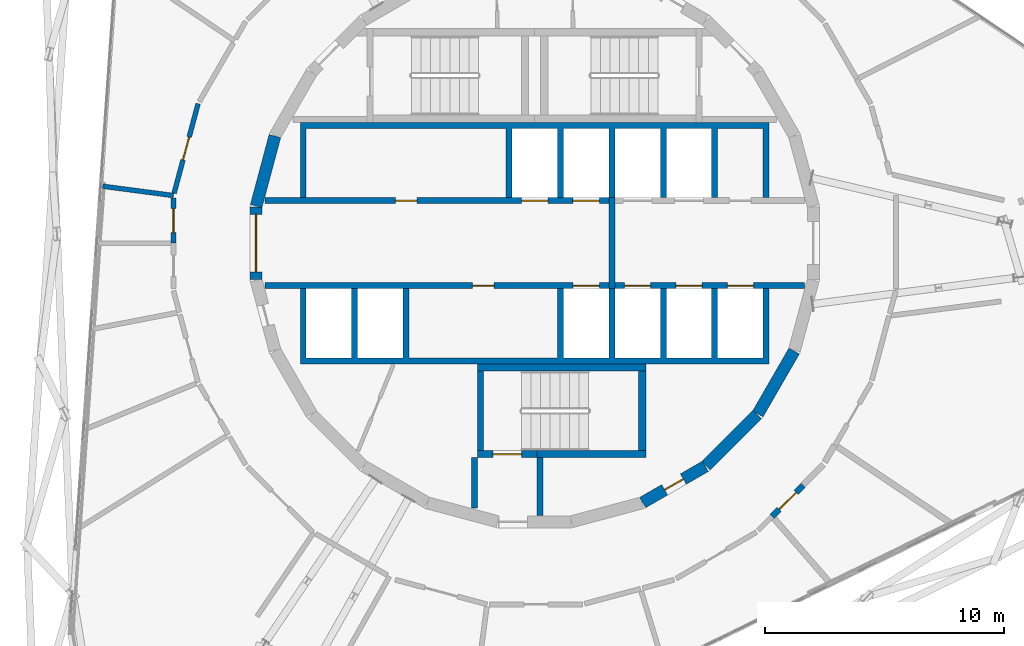
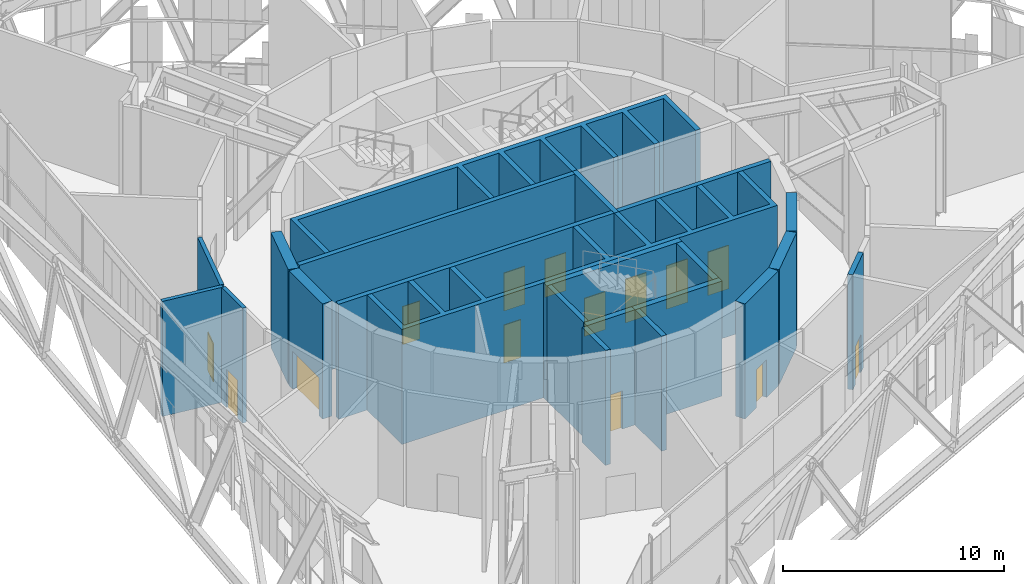
# One storey, part 19 of 24: 22 walls, 14 doors, 14 openings.
"""IFC4 building model written with IfcOpenShell, lengths in metres."""

from ifc_helpers import new_model, si_unit, direction, frame, frame_2d, origin, place, context, subcontext, project, spatial, polyline, rectangle, outline, extrude, material, layer, layer_set, type_object, element, fill, save


model = new_model("IFC4")

# Units and contexts
model_context = context("Model", 3, precision=1e-05, world=origin(), true_north=direction((0.0, 1.0)))
body_context = subcontext(model_context, "Body", "Model", "MODEL_VIEW")
ifc_project = project(units=[si_unit("LENGTHUNIT", "METRE"), si_unit("AREAUNIT", "SQUARE_METRE"), si_unit("VOLUMEUNIT", "CUBIC_METRE"), si_unit("PLANEANGLEUNIT", "RADIAN"), si_unit("MASSUNIT", "GRAM", prefix="KILO")], contexts=[model_context])

# Site, building, storey
site_placement = place(None, origin())
site = spatial("IfcSite", under=ifc_project, at=site_placement, CompositionType="ELEMENT")
building_placement = place(site_placement, origin())
building = spatial("IfcBuilding", under=site, at=building_placement, Name="Spindle Arch Residences", CompositionType="ELEMENT")
storey_placement = place(building_placement, frame((0.0, 0.0, 219.89990234375)))
storey = spatial("IfcBuildingStorey", under=building, at=storey_placement, Name="L56", CompositionType="ELEMENT", Elevation=219.89990234375)

# Wall, opening, door
ifc_material_1 = material(Name="Concrete C50/60", Category="concrete")
ifc_layer_1 = layer(ifc_material_1, 0.5)
ifc_layer_set_1 = layer_set([ifc_layer_1], Name="Core outline wall 500")
wall_type_1 = type_object("IfcWallType", Name="Core outline wall 500", PredefinedType="SHEAR", material=ifc_layer_set_1)
wall_1_placement = place(storey_placement, frame((4.510498046875, -10.84521484375, 0.0), z_axis=(0.0, 0.0, 1.0), x_axis=(0.865975092491, 0.500087131594, 0.0)))
wall_1 = element("IfcWall", 1, at=wall_1_placement, inside=storey, type_object=wall_type_1, Name="Core outline wall 2", PredefinedType="SHEAR", context=body_context, shape_type="SweptSolid", body=[
    extrude(rectangle(XDim=3.03271484375, YDim=0.5, at=frame_2d((1.516357421875, 0.0))), origin(), (0.0, 0.0, 1.0), 6.35009765625),
])
opening_1_placement = place(wall_1_placement, frame((1.06640625, 0.0, 0.0)))
opening_1 = element("IfcOpeningElement", 2, at=opening_1_placement, cuts=wall_1, Name="Opening L56-WD07", PredefinedType="OPENING", context=body_context, shape_type="SweptSolid", body=[
    extrude(rectangle(XDim=0.89990234375, YDim=2.10009765625, at=frame_2d((0.449951171875, 1.050048828125))), frame((0.0, 0.260009765625, 0.0), z_axis=(0.0, -1.0, 0.0), x_axis=(1.0, 0.0, 0.0)), (0.0, 0.0, 1.0), 0.52001953125),
])
ifc_material_2 = material(Name="Steel, fire-resisting door", Category="steel")
door_type_1 = type_object("IfcDoorType", Name="Service room door 900x2100", OperationType="SINGLE_SWING_LEFT", PredefinedType="DOOR", material=ifc_material_2)
door_1_placement = place(opening_1_placement, origin())
door_1 = element("IfcDoor", 3, at=door_1_placement, inside=storey, type_object=door_type_1, Name="Service room door L56-WD07", OperationType="SINGLE_SWING_LEFT", OverallHeight=2.10009765625, OverallWidth=0.89990234375, PredefinedType="DOOR", context=body_context, shape_type="SweptSolid", body=[
    extrude(rectangle(XDim=0.89990234375, YDim=2.10009765625, at=frame_2d((0.449951171875, 1.050048828125))), frame((0.0, 0.02490234375, 0.0), z_axis=(0.0, -1.0, 0.0), x_axis=(1.0, 0.0, 0.0)), (0.0, 0.0, 1.0), 0.050048828125),
])
fill(opening_1, door_1)

# Walls
wall_2_placement = place(storey_placement, frame((7.163818359375, -9.30810546875, 0.0), z_axis=(0.0, 0.0, 1.0), x_axis=(0.707106781187, 0.707106781187, 0.0)))
element("IfcWall", 4, at=wall_2_placement, inside=storey, type_object=wall_type_1, Name="Core outline wall 3", PredefinedType="SHEAR", context=body_context, shape_type="SweptSolid", body=[
    extrude(rectangle(XDim=3.032470703125, YDim=0.5, at=frame_2d((1.51611328125, 0.0))), origin(), (0.0, 0.0, 1.0), 6.35009765625),
])
for number, where, z_axis, x_axis, name in (
    (5, (9.32861328125, -7.13671875, 0.0), (0.0, 0.0, 1.0), (0.500087131594, 0.865975092491, 0.0), "Core outline wall 4"),
    (6, (-10.858154296875, 4.479248046875, 0.0), (0.0, 0.0, 1.0), (-0.258734743916, -0.965948410781, 0.0), "Core outline wall 17"),
):
    element("IfcWall", number, at=place(storey_placement, frame(where, z_axis=z_axis, x_axis=x_axis)), inside=storey, type_object=wall_type_1, Name=name, PredefinedType="SHEAR", context=body_context, shape_type="SweptSolid", body=[
        extrude(rectangle(XDim=3.03271484375, YDim=0.5, at=frame_2d((1.516357421875, 0.0))), origin(), (0.0, 0.0, 1.0), 6.35009765625),
    ])

# Wall, opening, door
wall_3_placement = place(storey_placement, frame((-11.647216796875, 1.516357421875, 0.0), z_axis=(0.0, 0.0, 1.0), x_axis=(0.0, -1.0, 0.0)))
wall_3 = element("IfcWall", 7, at=wall_3_placement, inside=storey, type_object=wall_type_1, Name="Core outline wall 18", PredefinedType="SHEAR", context=body_context, shape_type="SweptSolid", body=[
    extrude(rectangle(XDim=3.03271484375, YDim=0.5, at=frame_2d((1.516357421875, 0.0))), origin(), (0.0, 0.0, 1.0), 6.35009765625),
])
opening_2_placement = place(wall_3_placement, frame((0.31640625, 0.0, 0.0)))
opening_2 = element("IfcOpeningElement", 8, at=opening_2_placement, cuts=wall_3, Name="Opening L56-LE01", PredefinedType="OPENING", context=body_context, shape_type="SweptSolid", body=[
    extrude(rectangle(XDim=2.39990234375, YDim=2.10009765625, at=frame_2d((1.199951171875, 1.050048828125))), frame((0.0, 0.260009765625, 0.0), z_axis=(0.0, -1.0, 0.0), x_axis=(1.0, 0.0, 0.0)), (0.0, 0.0, 1.0), 0.52001953125),
])
ifc_material_3 = material(Name="Steel, fire-resisting door", Category="steel")
door_type_2 = type_object("IfcDoorType", Name="Lift lobby entrance door 2400x2100", OperationType="DOUBLE_DOOR_SINGLE_SWING", PredefinedType="DOOR", material=ifc_material_3)
door_2_placement = place(opening_2_placement, origin())
door_2 = element("IfcDoor", 9, at=door_2_placement, inside=storey, type_object=door_type_2, Name="Lift lobby entrance door L56-LE01", OperationType="DOUBLE_DOOR_SINGLE_SWING", OverallHeight=2.10009765625, OverallWidth=2.39990234375, PredefinedType="DOOR", context=body_context, shape_type="SweptSolid", body=[
    extrude(rectangle(XDim=2.39990234375, YDim=2.10009765625, at=frame_2d((1.199951171875, 1.050048828125))), frame((0.0, 0.02490234375, 0.0), z_axis=(0.0, -1.0, 0.0), x_axis=(1.0, 0.0, 0.0)), (0.0, 0.0, 1.0), 0.050048828125),
])
fill(opening_2, door_2)

# Wall
ifc_material_4 = material(Name="Concrete C40/50", Category="concrete")
ifc_layer_2 = layer(ifc_material_4, 0.25)
ifc_layer_set_2 = layer_set([ifc_layer_2], Name="Fire-lift lobby wall 250")
wall_type_2 = type_object("IfcWallType", Name="Fire-lift lobby wall 250", PredefinedType="SHEAR", material=ifc_layer_set_2)
wall_4_placement = place(storey_placement, frame((3.22509765625, -1.89990234375, 0.0), z_axis=(0.0, 0.0, 1.0), x_axis=(0.0, 1.0, 0.0)))
element("IfcWall", 10, at=wall_4_placement, inside=storey, type_object=wall_type_2, Name="Fire-fighting lobby partition", PredefinedType="SHEAR", context=body_context, shape_type="SweptSolid", body=[
    extrude(rectangle(XDim=3.7998046875, YDim=0.25, at=frame_2d((1.89990234375, 0.0))), origin(), (0.0, 0.0, 1.0), 6.35009765625),
])

# Wall, openings, doors
ifc_material_5 = material(Name="Concrete C50/60", Category="concrete")
ifc_layer_3 = layer(ifc_material_5, 0.25)
ifc_layer_set_3 = layer_set([ifc_layer_3], Name="Fire-lift shaft wall 250")
wall_type_3 = type_object("IfcWallType", Name="Fire-lift shaft wall 250", PredefinedType="SHEAR", material=ifc_layer_set_3)
wall_5_placement = place(storey_placement, frame((3.35009765625, -1.77490234375, 0.0), z_axis=(0.0, 0.0, 1.0), x_axis=(1.0, 0.0, 0.0)))
wall_5 = element("IfcWall", 11, at=wall_5_placement, inside=storey, type_object=wall_type_3, Name="Lift shaft front wall SE", PredefinedType="SHEAR", context=body_context, shape_type="SweptSolid", body=[
    extrude(rectangle(XDim=7.929931640625, YDim=0.25, at=frame_2d((3.96484375, 0.0))), origin(), (0.0, 0.0, 1.0), 6.35009765625),
])
opening_3_placement = place(wall_5_placement, frame((0.39990234375, 0.0, 0.0)))
opening_3 = element("IfcOpeningElement", 12, at=opening_3_placement, cuts=wall_5, Name="Opening L56-FLD01", PredefinedType="OPENING", context=body_context, shape_type="SweptSolid", body=[
    extrude(rectangle(XDim=1.10009765625, YDim=2.39990234375, at=frame_2d((0.550048828125, 1.199951171875))), frame((0.0, 0.135009765625, 0.0), z_axis=(0.0, -1.0, 0.0), x_axis=(1.0, 0.0, 0.0)), (0.0, 0.0, 1.0), 0.27001953125),
])
opening_4_placement = place(wall_5_placement, frame((2.550048828125, 0.0, 0.0)))
opening_4 = element("IfcOpeningElement", 13, at=opening_4_placement, cuts=wall_5, Name="Opening L56-FLD02", PredefinedType="OPENING", context=body_context, shape_type="SweptSolid", body=[
    extrude(rectangle(XDim=1.10009765625, YDim=2.39990234375, at=frame_2d((0.550048828125, 1.199951171875))), frame((0.0, 0.135009765625, 0.0), z_axis=(0.0, -1.0, 0.0), x_axis=(1.0, 0.0, 0.0)), (0.0, 0.0, 1.0), 0.27001953125),
])
opening_5_placement = place(wall_5_placement, frame((4.699951171875, 0.0, 0.0)))
opening_5 = element("IfcOpeningElement", 14, at=opening_5_placement, cuts=wall_5, Name="Opening L56-FLD03", PredefinedType="OPENING", context=body_context, shape_type="SweptSolid", body=[
    extrude(rectangle(XDim=1.10009765625, YDim=2.39990234375, at=frame_2d((0.550048828125, 1.199951171875))), frame((0.0, 0.135009765625, 0.0), z_axis=(0.0, -1.0, 0.0), x_axis=(1.0, 0.0, 0.0)), (0.0, 0.0, 1.0), 0.27001953125),
])
ifc_material_6 = material(Name="Steel, fire-resisting landing door", Category="steel")
door_type_3 = type_object("IfcDoorType", Name="Fire-fighting lift landing door 1100x2400", OperationType="DOUBLE_DOOR_SLIDING", PredefinedType="DOOR", material=ifc_material_6)
door_3_placement = place(opening_3_placement, origin())
door_3 = element("IfcDoor", 15, at=door_3_placement, inside=storey, type_object=door_type_3, Name="Fire-fighting lift landing door L56-FLD01", OperationType="DOUBLE_DOOR_SLIDING", OverallHeight=2.39990234375, OverallWidth=1.10009765625, PredefinedType="DOOR", context=body_context, shape_type="SweptSolid", body=[
    extrude(rectangle(XDim=1.10009765625, YDim=2.39990234375, at=frame_2d((0.550048828125, 1.199951171875))), frame((0.0, 0.02490234375, 0.0), z_axis=(0.0, -1.0, 0.0), x_axis=(1.0, 0.0, 0.0)), (0.0, 0.0, 1.0), 0.050048828125),
])
fill(opening_3, door_3)
door_4_placement = place(opening_4_placement, origin())
door_4 = element("IfcDoor", 16, at=door_4_placement, inside=storey, type_object=door_type_3, Name="Fire-fighting lift landing door L56-FLD02", OperationType="DOUBLE_DOOR_SLIDING", OverallHeight=2.39990234375, OverallWidth=1.10009765625, PredefinedType="DOOR", context=body_context, shape_type="SweptSolid", body=[
    extrude(rectangle(XDim=1.10009765625, YDim=2.39990234375, at=frame_2d((0.550048828125, 1.199951171875))), frame((0.0, 0.02490234375, 0.0), z_axis=(0.0, -1.0, 0.0), x_axis=(1.0, 0.0, 0.0)), (0.0, 0.0, 1.0), 0.050048828125),
])
fill(opening_4, door_4)
door_5_placement = place(opening_5_placement, origin())
door_5 = element("IfcDoor", 17, at=door_5_placement, inside=storey, type_object=door_type_3, Name="Fire-fighting lift landing door L56-FLD03", OperationType="DOUBLE_DOOR_SLIDING", OverallHeight=2.39990234375, OverallWidth=1.10009765625, PredefinedType="DOOR", context=body_context, shape_type="SweptSolid", body=[
    extrude(rectangle(XDim=1.10009765625, YDim=2.39990234375, at=frame_2d((0.550048828125, 1.199951171875))), frame((0.0, 0.02490234375, 0.0), z_axis=(0.0, -1.0, 0.0), x_axis=(1.0, 0.0, 0.0)), (0.0, 0.0, 1.0), 0.050048828125),
])
fill(opening_5, door_5)

ifc_material_7 = material(Name="Concrete C50/60", Category="concrete")
ifc_layer_4 = layer(ifc_material_7, 0.25)
ifc_layer_set_4 = layer_set([ifc_layer_4], Name="Lift shaft wall 250")
wall_type_4 = type_object("IfcWallType", Name="Lift shaft wall 250", PredefinedType="SHEAR", material=ifc_layer_set_4)
wall_6_placement = place(storey_placement, frame((-11.280029296875, 1.77490234375, 0.0), z_axis=(0.0, 0.0, 1.0), x_axis=(1.0, 0.0, 0.0)))
wall_6 = element("IfcWall", 18, at=wall_6_placement, inside=storey, type_object=wall_type_4, Name="Lift shaft front wall NW", PredefinedType="SHEAR", context=body_context, shape_type="SweptSolid", body=[
    extrude(rectangle(XDim=14.380126953125, YDim=0.25, at=frame_2d((7.18994140625, 0.0))), origin(), (0.0, 0.0, 1.0), 6.35009765625),
])
opening_6_placement = place(wall_6_placement, frame((10.72998046875, 0.0, 0.0)))
opening_6 = element("IfcOpeningElement", 19, at=opening_6_placement, cuts=wall_6, Name="Opening L56-LD01", PredefinedType="OPENING", context=body_context, shape_type="SweptSolid", body=[
    extrude(rectangle(XDim=1.10009765625, YDim=2.10009765625, at=frame_2d((0.550048828125, 1.050048828125))), frame((0.0, 0.135009765625, 0.0), z_axis=(0.0, -1.0, 0.0), x_axis=(1.0, 0.0, 0.0)), (0.0, 0.0, 1.0), 0.27001953125),
])
opening_7_placement = place(wall_6_placement, frame((12.8798828125, 0.0, 0.0)))
opening_7 = element("IfcOpeningElement", 20, at=opening_7_placement, cuts=wall_6, Name="Opening L56-LD02", PredefinedType="OPENING", context=body_context, shape_type="SweptSolid", body=[
    extrude(rectangle(XDim=1.10009765625, YDim=2.10009765625, at=frame_2d((0.550048828125, 1.050048828125))), frame((0.0, 0.135009765625, 0.0), z_axis=(0.0, -1.0, 0.0), x_axis=(1.0, 0.0, 0.0)), (0.0, 0.0, 1.0), 0.27001953125),
])
opening_8_placement = place(wall_6_placement, frame((5.455078125, 0.0, 0.0)))
opening_8 = element("IfcOpeningElement", 21, at=opening_8_placement, cuts=wall_6, Name="Opening L56-WD01", PredefinedType="OPENING", context=body_context, shape_type="SweptSolid", body=[
    extrude(rectangle(XDim=0.89990234375, YDim=2.10009765625, at=frame_2d((0.449951171875, 1.050048828125))), frame((0.0, 0.135009765625, 0.0), z_axis=(0.0, -1.0, 0.0), x_axis=(1.0, 0.0, 0.0)), (0.0, 0.0, 1.0), 0.27001953125),
])
ifc_material_8 = material(Name="Steel, fire-resisting landing door", Category="steel")
door_type_4 = type_object("IfcDoorType", Name="Lift landing door 1100x2100", OperationType="DOUBLE_DOOR_SLIDING", PredefinedType="DOOR", material=ifc_material_8)
door_6_placement = place(opening_6_placement, origin())
door_6 = element("IfcDoor", 22, at=door_6_placement, inside=storey, type_object=door_type_4, Name="Lift landing door L56-LD01", OperationType="DOUBLE_DOOR_SLIDING", OverallHeight=2.10009765625, OverallWidth=1.10009765625, PredefinedType="DOOR", context=body_context, shape_type="SweptSolid", body=[
    extrude(rectangle(XDim=1.10009765625, YDim=2.10009765625, at=frame_2d((0.550048828125, 1.050048828125))), frame((0.0, 0.02490234375, 0.0), z_axis=(0.0, -1.0, 0.0), x_axis=(1.0, 0.0, 0.0)), (0.0, 0.0, 1.0), 0.050048828125),
])
fill(opening_6, door_6)
door_7_placement = place(opening_7_placement, origin())
door_7 = element("IfcDoor", 23, at=door_7_placement, inside=storey, type_object=door_type_4, Name="Lift landing door L56-LD02", OperationType="DOUBLE_DOOR_SLIDING", OverallHeight=2.10009765625, OverallWidth=1.10009765625, PredefinedType="DOOR", context=body_context, shape_type="SweptSolid", body=[
    extrude(rectangle(XDim=1.10009765625, YDim=2.10009765625, at=frame_2d((0.550048828125, 1.050048828125))), frame((0.0, 0.02490234375, 0.0), z_axis=(0.0, -1.0, 0.0), x_axis=(1.0, 0.0, 0.0)), (0.0, 0.0, 1.0), 0.050048828125),
])
fill(opening_7, door_7)
door_8_placement = place(opening_8_placement, origin())
door_8 = element("IfcDoor", 24, at=door_8_placement, inside=storey, type_object=door_type_1, Name="Service room door L56-WD01", OperationType="SINGLE_SWING_LEFT", OverallHeight=2.10009765625, OverallWidth=0.89990234375, PredefinedType="DOOR", context=body_context, shape_type="SweptSolid", body=[
    extrude(rectangle(XDim=0.89990234375, YDim=2.10009765625, at=frame_2d((0.449951171875, 1.050048828125))), frame((0.0, 0.02490234375, 0.0), z_axis=(0.0, -1.0, 0.0), x_axis=(1.0, 0.0, 0.0)), (0.0, 0.0, 1.0), 0.050048828125),
])
fill(opening_8, door_8)

wall_7_placement = place(storey_placement, frame((-11.280029296875, -1.77490234375, 0.0), z_axis=(0.0, 0.0, 1.0), x_axis=(1.0, 0.0, 0.0)))
wall_7 = element("IfcWall", 25, at=wall_7_placement, inside=storey, type_object=wall_type_4, Name="Lift shaft front wall SW", PredefinedType="SHEAR", context=body_context, shape_type="SweptSolid", body=[
    extrude(rectangle(XDim=14.380126953125, YDim=0.25, at=frame_2d((7.18994140625, 0.0))), origin(), (0.0, 0.0, 1.0), 6.35009765625),
])
opening_9_placement = place(wall_7_placement, frame((12.8798828125, 0.0, 0.0)))
opening_9 = element("IfcOpeningElement", 26, at=opening_9_placement, cuts=wall_7, Name="Opening L56-LD03", PredefinedType="OPENING", context=body_context, shape_type="SweptSolid", body=[
    extrude(rectangle(XDim=1.10009765625, YDim=2.10009765625, at=frame_2d((0.550048828125, 1.050048828125))), frame((0.0, 0.135009765625, 0.0), z_axis=(0.0, -1.0, 0.0), x_axis=(1.0, 0.0, 0.0)), (0.0, 0.0, 1.0), 0.27001953125),
])
opening_10_placement = place(wall_7_placement, frame((8.679931640625, 0.0, 0.0)))
opening_10 = element("IfcOpeningElement", 27, at=opening_10_placement, cuts=wall_7, Name="Opening L56-WD03", PredefinedType="OPENING", context=body_context, shape_type="SweptSolid", body=[
    extrude(rectangle(XDim=0.89990234375, YDim=2.10009765625, at=frame_2d((0.449951171875, 1.050048828125))), frame((0.0, 0.135009765625, 0.0), z_axis=(0.0, -1.0, 0.0), x_axis=(1.0, 0.0, 0.0)), (0.0, 0.0, 1.0), 0.27001953125),
])
door_9_placement = place(opening_9_placement, origin())
door_9 = element("IfcDoor", 28, at=door_9_placement, inside=storey, type_object=door_type_4, Name="Lift landing door L56-LD03", OperationType="DOUBLE_DOOR_SLIDING", OverallHeight=2.10009765625, OverallWidth=1.10009765625, PredefinedType="DOOR", context=body_context, shape_type="SweptSolid", body=[
    extrude(rectangle(XDim=1.10009765625, YDim=2.10009765625, at=frame_2d((0.550048828125, 1.050048828125))), frame((0.0, 0.02490234375, 0.0), z_axis=(0.0, -1.0, 0.0), x_axis=(1.0, 0.0, 0.0)), (0.0, 0.0, 1.0), 0.050048828125),
])
fill(opening_9, door_9)
door_10_placement = place(opening_10_placement, origin())
door_10 = element("IfcDoor", 29, at=door_10_placement, inside=storey, type_object=door_type_1, Name="Service room door L56-WD03", OperationType="SINGLE_SWING_LEFT", OverallHeight=2.10009765625, OverallWidth=0.89990234375, PredefinedType="DOOR", context=body_context, shape_type="SweptSolid", body=[
    extrude(rectangle(XDim=0.89990234375, YDim=2.10009765625, at=frame_2d((0.449951171875, 1.050048828125))), frame((0.0, 0.02490234375, 0.0), z_axis=(0.0, -1.0, 0.0), x_axis=(1.0, 0.0, 0.0)), (0.0, 0.0, 1.0), 0.050048828125),
])
fill(opening_10, door_10)

# Walls
ifc_material_9 = material(Name="Concrete C50/60", Category="concrete")
wall_type_5 = type_object("IfcWallType", Name="Lift shaft wall profile", PredefinedType="SHEAR", material=ifc_material_9)
wall_8_placement = place(storey_placement, origin())
element("IfcWall", 30, at=wall_8_placement, inside=storey, type_object=wall_type_5, Name="Lift shaft walls N", PredefinedType="SHEAR", context=body_context, shape_type="SweptSolid", body=[
    extrude(outline(polyline([(-9.550048828125, 4.800048828125), (-1.199951171875, 4.800048828125), (-1.199951171875, 1.89990234375), (-0.949951171875, 1.89990234375), (-0.949951171875, 4.800048828125), (0.949951171875, 4.800048828125), (0.949951171875, 1.89990234375), (1.199951171875, 1.89990234375), (1.199951171875, 4.800048828125), (3.10009765625, 4.800048828125), (3.10009765625, 1.89990234375), (3.35009765625, 1.89990234375), (3.35009765625, 4.800048828125), (5.25, 4.800048828125), (5.25, 1.89990234375), (5.5, 1.89990234375), (5.5, 4.800048828125), (7.39990234375, 4.800048828125), (7.39990234375, 1.89990234375), (7.64990234375, 1.89990234375), (7.64990234375, 4.800048828125), (9.550048828125, 4.800048828125), (9.550048828125, 1.89990234375), (9.800048828125, 1.89990234375), (9.800048828125, 4.800048828125), (9.800048828125, 5.050048828125), (-9.800048828125, 5.050048828125), (-9.800048828125, 4.800048828125), (-9.800048828125, 1.89990234375), (-9.550048828125, 1.89990234375), (-9.550048828125, 4.800048828125)])), origin(), (0.0, 0.0, 1.0), 6.35009765625),
])
wall_9_placement = place(storey_placement, origin())
element("IfcWall", 31, at=wall_9_placement, inside=storey, type_object=wall_type_5, Name="Lift shaft walls S", PredefinedType="SHEAR", context=body_context, shape_type="SweptSolid", body=[
    extrude(outline(polyline([(9.800048828125, -5.050048828125), (9.800048828125, -4.800048828125), (9.800048828125, -1.89990234375), (9.550048828125, -1.89990234375), (9.550048828125, -4.800048828125), (7.64990234375, -4.800048828125), (7.64990234375, -1.89990234375), (7.39990234375, -1.89990234375), (7.39990234375, -4.800048828125), (5.5, -4.800048828125), (5.5, -1.89990234375), (5.25, -1.89990234375), (5.25, -4.800048828125), (3.35009765625, -4.800048828125), (3.35009765625, -1.89990234375), (3.10009765625, -1.89990234375), (3.10009765625, -4.800048828125), (1.199951171875, -4.800048828125), (1.199951171875, -1.89990234375), (0.949951171875, -1.89990234375), (0.949951171875, -4.800048828125), (-5.25, -4.800048828125), (-5.25, -1.89990234375), (-5.5, -1.89990234375), (-5.5, -4.800048828125), (-7.39990234375, -4.800048828125), (-7.39990234375, -1.89990234375), (-7.64990234375, -1.89990234375), (-7.64990234375, -4.800048828125), (-9.550048828125, -4.800048828125), (-9.550048828125, -1.89990234375), (-9.800048828125, -1.89990234375), (-9.800048828125, -4.800048828125), (-9.800048828125, -5.050048828125), (9.800048828125, -5.050048828125)])), origin(), (0.0, 0.0, 1.0), 6.35009765625),
])

# Wall, opening, door
ifc_material_10 = material(Name="Concrete C25/30 wall", Category="concrete")
ifc_layer_5 = layer(ifc_material_10, 0.25)
ifc_layer_set_5 = layer_set([ifc_layer_5], Name="Partition EI 120 250 store")
wall_type_6 = type_object("IfcWallType", Name="Partition EI 120 250 store", PredefinedType="PARTITIONING", material=ifc_layer_set_5)
wall_10_placement = place(storey_placement, frame((9.929931640625, -11.419921875, 0.0), z_axis=(0.0, 0.0, 1.0), x_axis=(0.707106781187, 0.707106781187, 0.0)))
wall_10 = element("IfcWall", 32, at=wall_10_placement, inside=storey, type_object=wall_type_6, Name="L56-W051", PredefinedType="PARTITIONING", context=body_context, shape_type="SweptSolid", body=[
    extrude(rectangle(XDim=1.824462890625, YDim=0.25, at=frame_2d((0.912109375, 0.0))), origin(), (0.0, 0.0, 1.0), 6.35009765625),
])
opening_11_placement = place(wall_10_placement, frame((0.412109375, 0.0, 0.0)))
opening_11 = element("IfcOpeningElement", 33, at=opening_11_placement, cuts=wall_10, Name="Opening L56-D05", PredefinedType="OPENING", context=body_context, shape_type="SweptSolid", body=[
    extrude(rectangle(XDim=1.0, YDim=2.10009765625, at=frame_2d((0.5, 1.050048828125))), frame((0.0, 0.135009765625, 0.0), z_axis=(0.0, -1.0, 0.0), x_axis=(1.0, 0.0, 0.0)), (0.0, 0.0, 1.0), 0.27001953125),
])
ifc_material_11 = material(Name="Steel door leaf, painted", Category="steel")
door_type_5 = type_object("IfcDoorType", Name="Door 1000x2100 EI 60", OperationType="SINGLE_SWING_LEFT", PredefinedType="DOOR", material=ifc_material_11)
door_11_placement = place(opening_11_placement, origin())
door_11 = element("IfcDoor", 34, at=door_11_placement, inside=storey, type_object=door_type_5, Name="L56-D05", OperationType="SINGLE_SWING_LEFT", OverallHeight=2.10009765625, OverallWidth=1.0, PredefinedType="DOOR", context=body_context, shape_type="SweptSolid", body=[
    extrude(rectangle(XDim=1.0, YDim=2.10009765625, at=frame_2d((0.5, 1.050048828125))), frame((0.0, 0.02490234375, 0.0), z_axis=(0.0, -1.0, 0.0), x_axis=(1.0, 0.0, 0.0)), (0.0, 0.0, 1.0), 0.050048828125),
])
fill(opening_11, door_11)

# Wall
ifc_material_12 = material(Name="Gypsum board partition on steel studs", Category="steel")
ifc_layer_6 = layer(ifc_material_12, 0.199951171875)
ifc_layer_set_6 = layer_set([ifc_layer_6], Name="Partition EI 60 200 amenity")
wall_type_7 = type_object("IfcWallType", Name="Partition EI 60 200 amenity", PredefinedType="PARTITIONING", material=ifc_layer_set_6)
wall_11_placement = place(storey_placement, frame((-15.10009765625, 1.989990234375, 0.0), z_axis=(0.0, 0.0, 1.0), x_axis=(-0.99143591564, 0.130594123827, 0.0)))
element("IfcWall", 35, at=wall_11_placement, inside=storey, type_object=wall_type_7, Name="L56-W004", PredefinedType="PARTITIONING", context=body_context, shape_type="SweptSolid", body=[
    extrude(rectangle(XDim=2.985595703125, YDim=0.199951171875, at=frame_2d((1.49267578125, 0.0))), origin(), (0.0, 0.0, 1.0), 6.35009765625),
])

# Wall, opening, door
wall_12_placement = place(storey_placement, frame((-15.10009765625, 1.889892578125, 0.0), z_axis=(0.0, 0.0, 1.0), x_axis=(0.0, -1.0, 0.0)))
wall_12 = element("IfcWall", 36, at=wall_12_placement, inside=storey, type_object=wall_type_7, Name="L56-W005", PredefinedType="PARTITIONING", context=body_context, shape_type="SweptSolid", body=[
    extrude(rectangle(XDim=1.889892578125, YDim=0.199951171875, at=frame_2d((0.94482421875, 0.0))), origin(), (0.0, 0.0, 1.0), 6.35009765625),
])
opening_12_placement = place(wall_12_placement, frame((0.445068359375, 0.0, 0.0)))
opening_12 = element("IfcOpeningElement", 37, at=opening_12_placement, cuts=wall_12, Name="Opening L56-D10", PredefinedType="OPENING", context=body_context, shape_type="SweptSolid", body=[
    extrude(rectangle(XDim=1.0, YDim=2.10009765625, at=frame_2d((0.5, 1.050048828125))), frame((0.0, 0.10986328125, 0.0), z_axis=(0.0, -1.0, 0.0), x_axis=(1.0, 0.0, 0.0)), (0.0, 0.0, 1.0), 0.219970703125),
])
ifc_material_13 = material(Name="Timber door leaf", Category="wood")
door_type_6 = type_object("IfcDoorType", Name="Door 1000x2100 EI 30", OperationType="SINGLE_SWING_LEFT", PredefinedType="DOOR", material=ifc_material_13)
door_12_placement = place(opening_12_placement, origin())
door_12 = element("IfcDoor", 38, at=door_12_placement, inside=storey, type_object=door_type_6, Name="L56-D10", OperationType="SINGLE_SWING_LEFT", OverallHeight=2.10009765625, OverallWidth=1.0, PredefinedType="DOOR", context=body_context, shape_type="SweptSolid", body=[
    extrude(rectangle(XDim=1.0, YDim=2.10009765625, at=frame_2d((0.5, 1.050048828125))), frame((0.0, 0.02490234375, 0.0), z_axis=(0.0, -1.0, 0.0), x_axis=(1.0, 0.0, 0.0)), (0.0, 0.0, 1.0), 0.050048828125),
])
fill(opening_12, door_12)

wall_13_placement = place(storey_placement, frame((-14.070068359375, 5.830078125, 0.0), z_axis=(0.0, 0.0, 1.0), x_axis=(-0.259026804199, -0.965870133458, 0.0)))
wall_13 = element("IfcWall", 39, at=wall_13_placement, inside=storey, type_object=wall_type_7, Name="L56-W010", PredefinedType="PARTITIONING", context=body_context, shape_type="SweptSolid", body=[
    extrude(rectangle(XDim=3.875732421875, YDim=0.199951171875, at=frame_2d((1.93798828125, 0.0))), origin(), (0.0, 0.0, 1.0), 6.35009765625),
])
opening_13_placement = place(wall_13_placement, frame((1.43798828125, 0.0, 0.0)))
opening_13 = element("IfcOpeningElement", 40, at=opening_13_placement, cuts=wall_13, Name="Opening L56-D12", PredefinedType="OPENING", context=body_context, shape_type="SweptSolid", body=[
    extrude(rectangle(XDim=1.0, YDim=2.10009765625, at=frame_2d((0.5, 1.050048828125))), frame((0.0, 0.10986328125, 0.0), z_axis=(0.0, -1.0, 0.0), x_axis=(1.0, 0.0, 0.0)), (0.0, 0.0, 1.0), 0.219970703125),
])
door_13_placement = place(opening_13_placement, origin())
door_13 = element("IfcDoor", 41, at=door_13_placement, inside=storey, type_object=door_type_6, Name="L56-D12", OperationType="SINGLE_SWING_LEFT", OverallHeight=2.10009765625, OverallWidth=1.0, PredefinedType="DOOR", context=body_context, shape_type="SweptSolid", body=[
    extrude(rectangle(XDim=1.0, YDim=2.10009765625, at=frame_2d((0.5, 1.050048828125))), frame((0.0, 0.02490234375, 0.0), z_axis=(0.0, -1.0, 0.0), x_axis=(1.0, 0.0, 0.0)), (0.0, 0.0, 1.0), 0.050048828125),
])
fill(opening_13, door_13)

# Walls
ifc_material_14 = material(Name="Concrete C40/50", Category="concrete")
ifc_layer_7 = layer(ifc_material_14, 0.25)
ifc_layer_set_7 = layer_set([ifc_layer_7], Name="Stair airlock wall 250")
wall_type_8 = type_object("IfcWallType", Name="Stair airlock wall 250", PredefinedType="SHEAR", material=ifc_layer_set_7)
wall_14_placement = place(storey_placement, frame((-2.52490234375, -8.969970703125, 0.0), z_axis=(0.0, 0.0, 1.0), x_axis=(0.0, -1.0, 0.0)))
element("IfcWall", 42, at=wall_14_placement, inside=storey, type_object=wall_type_8, Name="Stair ST-3 airlock wall W", PredefinedType="SHEAR", context=body_context, shape_type="SweptSolid", body=[
    extrude(rectangle(XDim=2.110107421875, YDim=0.25, at=frame_2d((1.05517578125, 0.0))), origin(), (0.0, 0.0, 1.0), 6.35009765625),
])
wall_15_placement = place(storey_placement, frame((0.22509765625, -8.969970703125, 0.0), z_axis=(0.0, 0.0, 1.0), x_axis=(0.0, -1.0, 0.0)))
element("IfcWall", 43, at=wall_15_placement, inside=storey, type_object=wall_type_8, Name="Stair ST-3 airlock wall E", PredefinedType="SHEAR", context=body_context, shape_type="SweptSolid", body=[
    extrude(rectangle(XDim=2.409912109375, YDim=0.25, at=frame_2d((1.205078125, 0.0))), origin(), (0.0, 0.0, 1.0), 6.35009765625),
])
ifc_material_15 = material(Name="Concrete C50/60", Category="concrete")
ifc_layer_8 = layer(ifc_material_15, 0.25)
ifc_layer_set_8 = layer_set([ifc_layer_8], Name="Stair enclosure wall 250")
wall_type_9 = type_object("IfcWallType", Name="Stair enclosure wall 250", PredefinedType="SHEAR", material=ifc_layer_set_8)
wall_16_placement = place(storey_placement, frame((-2.27490234375, -8.669921875, 0.0), z_axis=(0.0, 0.0, 1.0), x_axis=(0.0, 1.0, 0.0)))
element("IfcWall", 44, at=wall_16_placement, inside=storey, type_object=wall_type_9, Name="Stair ST-3 enclosure wall W", PredefinedType="SHEAR", context=body_context, shape_type="SweptSolid", body=[
    extrude(rectangle(XDim=3.31982421875, YDim=0.25, at=frame_2d((1.659912109375, 0.0))), origin(), (0.0, 0.0, 1.0), 6.35009765625),
])
ifc_material_16 = material(Name="Concrete C50/60", Category="concrete")
ifc_layer_9 = layer(ifc_material_16, 0.300048828125)
ifc_layer_set_9 = layer_set([ifc_layer_9], Name="Stair enclosure wall 300")
wall_type_10 = type_object("IfcWallType", Name="Stair enclosure wall 300", PredefinedType="SHEAR", material=ifc_layer_set_9)
wall_17_placement = place(storey_placement, frame((-2.39990234375, -5.199951171875, 0.0), z_axis=(0.0, 0.0, 1.0), x_axis=(1.0, 0.0, 0.0)))
element("IfcWall", 45, at=wall_17_placement, inside=storey, type_object=wall_type_10, Name="Stair ST-3 enclosure wall N", PredefinedType="SHEAR", context=body_context, shape_type="SweptSolid", body=[
    extrude(rectangle(XDim=7.0498046875, YDim=0.300048828125, at=frame_2d((3.52490234375, 0.0))), origin(), (0.0, 0.0, 1.0), 6.35009765625),
])
wall_18_placement = place(storey_placement, frame((4.5, -8.669921875, 0.0), z_axis=(0.0, 0.0, 1.0), x_axis=(0.0, 1.0, 0.0)))
element("IfcWall", 46, at=wall_18_placement, inside=storey, type_object=wall_type_10, Name="Stair ST-3 enclosure wall E", PredefinedType="SHEAR", context=body_context, shape_type="SweptSolid", body=[
    extrude(rectangle(XDim=3.31982421875, YDim=0.300048828125, at=frame_2d((1.659912109375, 0.0))), origin(), (0.0, 0.0, 1.0), 6.35009765625),
])
wall_19_placement = place(storey_placement, frame((0.10009765625, -8.820068359375, 0.0), z_axis=(0.0, 0.0, 1.0), x_axis=(1.0, 0.0, 0.0)))
element("IfcWall", 47, at=wall_19_placement, inside=storey, type_object=wall_type_10, Name="Stair ST-3 enclosure wall S", PredefinedType="SHEAR", context=body_context, shape_type="SweptSolid", body=[
    extrude(rectangle(XDim=4.5498046875, YDim=0.300048828125, at=frame_2d((2.27490234375, 0.0))), origin(), (0.0, 0.0, 1.0), 6.35009765625),
])

# Wall, opening, door
wall_20_placement = place(storey_placement, frame((-2.39990234375, -8.820068359375, 0.0), z_axis=(0.0, 0.0, 1.0), x_axis=(1.0, 0.0, 0.0)))
wall_20 = element("IfcWall", 48, at=wall_20_placement, inside=storey, type_object=wall_type_10, Name="Stair ST-3 door wall", PredefinedType="SHEAR", context=body_context, shape_type="SweptSolid", body=[
    extrude(rectangle(XDim=2.5, YDim=0.300048828125, at=frame_2d((1.25, 0.0))), origin(), (0.0, 0.0, 1.0), 6.35009765625),
])
opening_14_placement = place(wall_20_placement, frame((0.64990234375, 0.0, 0.0)))
opening_14 = element("IfcOpeningElement", 49, at=opening_14_placement, cuts=wall_20, Name="Opening L56-SD03", PredefinedType="OPENING", context=body_context, shape_type="SweptSolid", body=[
    extrude(rectangle(XDim=1.199951171875, YDim=2.10009765625, at=frame_2d((0.60009765625, 1.050048828125))), frame((0.0, 0.16015625, 0.0), z_axis=(0.0, -1.0, 0.0), x_axis=(1.0, 0.0, 0.0)), (0.0, 0.0, 1.0), 0.320068359375),
])
ifc_material_17 = material(Name="Steel, fire-resisting door", Category="steel")
door_type_7 = type_object("IfcDoorType", Name="Stair door 1200x2100", OperationType="SINGLE_SWING_RIGHT", PredefinedType="DOOR", material=ifc_material_17)
door_14_placement = place(opening_14_placement, origin())
door_14 = element("IfcDoor", 50, at=door_14_placement, inside=storey, type_object=door_type_7, Name="Stair door L56-SD03", OperationType="SINGLE_SWING_LEFT", OverallHeight=2.10009765625, OverallWidth=1.199951171875, PredefinedType="DOOR", context=body_context, shape_type="SweptSolid", body=[
    extrude(rectangle(XDim=1.199951171875, YDim=2.10009765625, at=frame_2d((0.60009765625, 1.050048828125))), frame((0.0, 0.02490234375, 0.0), z_axis=(0.0, -1.0, 0.0), x_axis=(1.0, 0.0, 0.0)), (0.0, 0.0, 1.0), 0.050048828125),
])
fill(opening_14, door_14)

save(model, "model.ifc")
